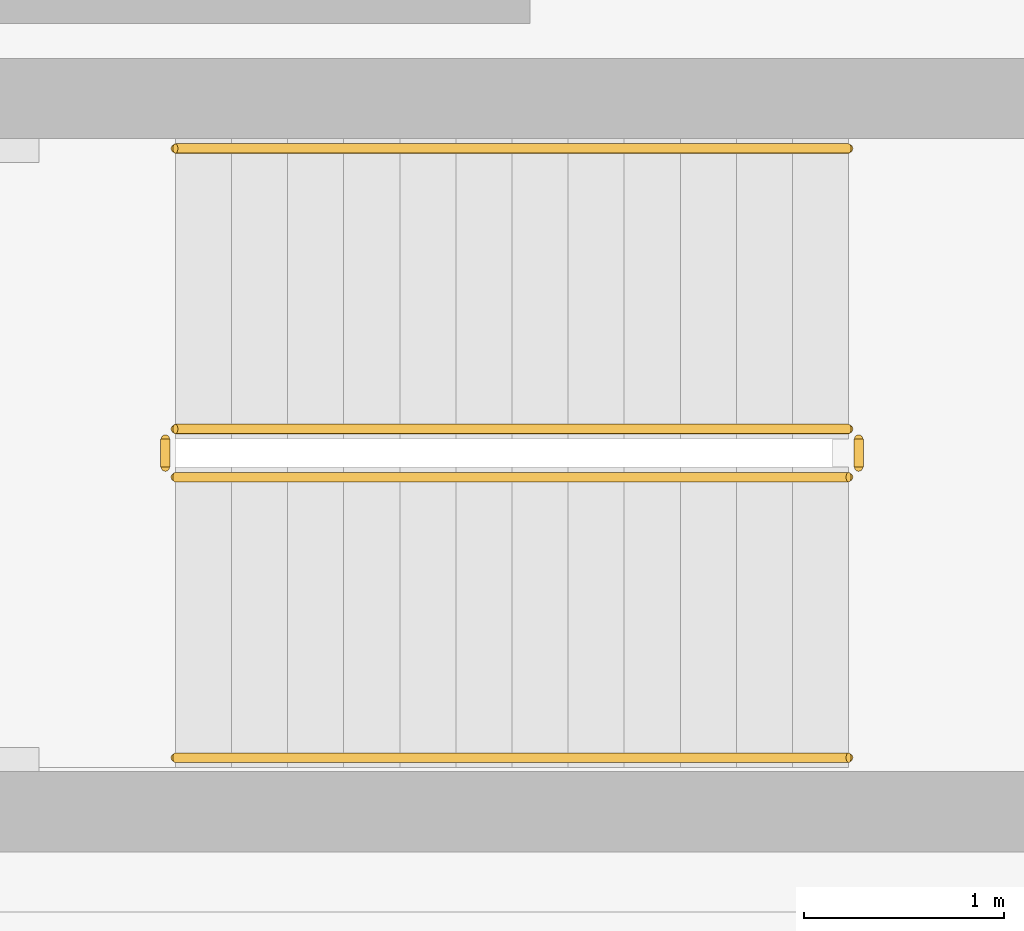
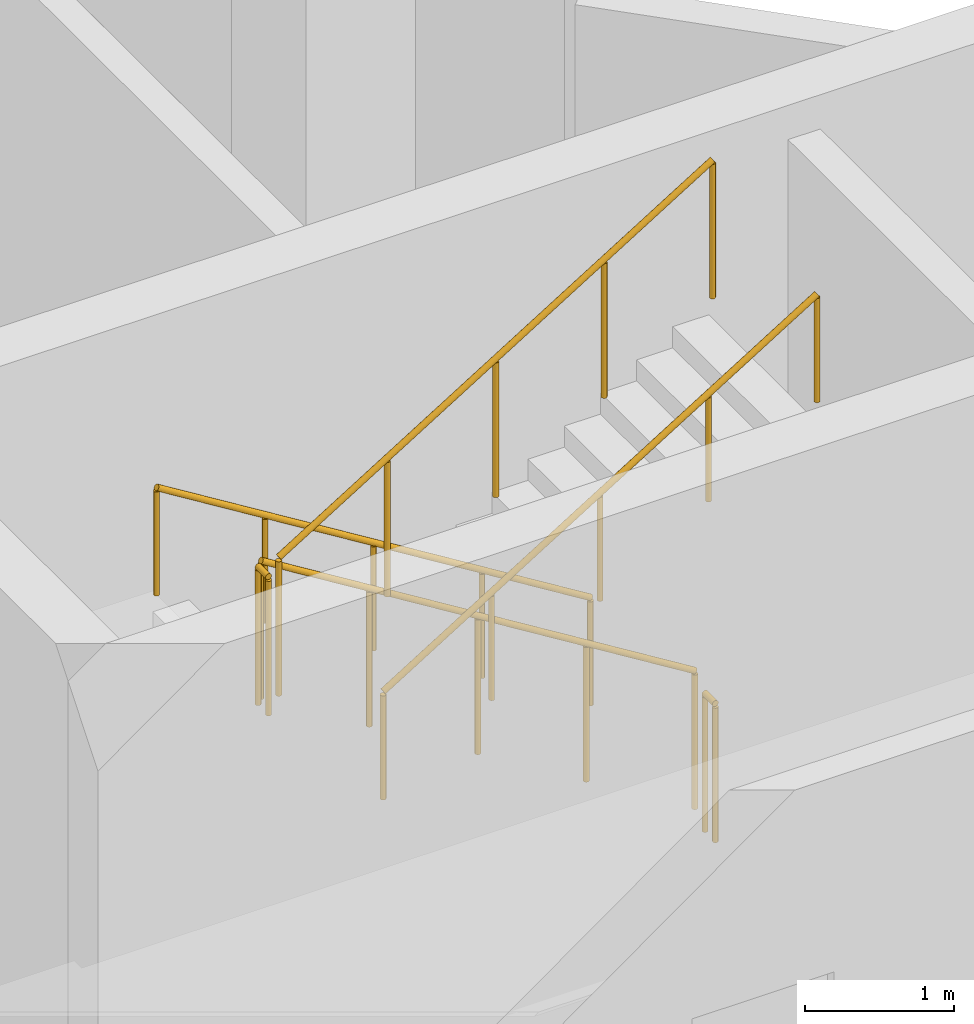
# One storey, part 20 of 24: 6 railings.
"""IFC4 building model written with IfcOpenShell, lengths in metres."""

from ifc_helpers import new_model, si_unit, derived_unit, direction, frame, origin, origin_2d, place, context, subcontext, project, spatial, circle, extrude, material, type_object, element, save


model = new_model("IFC4")

# Units and contexts
model_context = context("Model", 3, precision=1e-05, world=origin(), true_north=direction((0.0, 1.0)))
body_context = subcontext(model_context, "Body", "Model", "MODEL_VIEW")
ifc_project = project(units=[si_unit("LENGTHUNIT", "METRE"), si_unit("AREAUNIT", "SQUARE_METRE"), si_unit("VOLUMEUNIT", "CUBIC_METRE"), si_unit("PLANEANGLEUNIT", "RADIAN"), si_unit("MASSUNIT", "GRAM", prefix="KILO"), derived_unit("THERMALTRANSMITTANCEUNIT", [(si_unit("POWERUNIT", "WATT"), 1), (si_unit("LENGTHUNIT", "METRE"), -2), (si_unit("THERMODYNAMICTEMPERATUREUNIT", "KELVIN"), -1)])], contexts=[model_context])

# Site, building, storey
site_placement = place(None, origin())
site = spatial("IfcSite", under=ifc_project, at=site_placement, CompositionType="ELEMENT")
building_placement = place(site_placement, origin())
building = spatial("IfcBuilding", under=site, at=building_placement, Name="Kivonza Crest Hotel", CompositionType="ELEMENT")
storey_placement = place(building_placement, frame((0.0, 0.0, 119.5)))
storey = spatial("IfcBuildingStorey", under=building, at=storey_placement, Name="L32", CompositionType="ELEMENT", Elevation=119.5)

# Railings
ifc_material_1 = material(Name="Brushed stainless steel handrail", Category="steel")
railing_type_1 = type_object("IfcRailingType", Name="RL-HAND-900", PredefinedType="HANDRAIL", material=ifc_material_1)
railing_1_placement = place(storey_placement, frame((12.239990234375, 16.949951171875, 0.173095703125)))
element("IfcRailing", 1, at=railing_1_placement, inside=storey, type_object=railing_type_1, Name="L32 ST-T1-S stair handrail 1", PredefinedType="HANDRAIL", context=body_context, shape_type="SweptSolid", body=[
    extrude(circle(Radius=0.02392578125, at=origin_2d()), frame((0.0, 0.0, 0.8759765625), z_axis=(-0.850623216509, 0.0, 0.525775754039), x_axis=(0.0, -1.0, 0.0)), (0.0, 0.0, 1.0), 3.9501953125),
    extrude(circle(Radius=0.02099609375, at=origin_2d()), origin(), (0.0, 0.0, 1.0), 0.851806640625),
    extrude(circle(Radius=0.02099609375, at=origin_2d()), frame((-0.840087890625, 0.0, 0.519287109375)), (0.0, 0.0, 1.0), 0.851806640625),
    extrude(circle(Radius=0.02099609375, at=origin_2d()), frame((-1.68017578125, 0.0, 1.03857421875)), (0.0, 0.0, 1.0), 0.851806640625),
    extrude(circle(Radius=0.02099609375, at=origin_2d()), frame((-2.52001953125, 0.0, 1.5576171875)), (0.0, 0.0, 1.0), 0.851806640625),
    extrude(circle(Radius=0.02099609375, at=origin_2d()), frame((-3.360107421875, 0.0, 2.076904296875)), (0.0, 0.0, 1.0), 0.851806640625),
])
railing_2_placement = place(storey_placement, frame((8.8798828125, 13.909912109375, 2.423095703125)))
element("IfcRailing", 2, at=railing_2_placement, inside=storey, type_object=railing_type_1, Name="L32 ST-T1-S stair handrail 2", PredefinedType="HANDRAIL", context=body_context, shape_type="SweptSolid", body=[
    extrude(circle(Radius=0.02392578125, at=origin_2d()), frame((0.0, 0.0, 0.8759765625), z_axis=(0.850623216509, 0.0, 0.525775754039), x_axis=(0.0, 1.0, 0.0)), (0.0, 0.0, 1.0), 3.9501953125),
    extrude(circle(Radius=0.02099609375, at=origin_2d()), origin(), (0.0, 0.0, 1.0), 0.851806640625),
    extrude(circle(Radius=0.02099609375, at=origin_2d()), frame((0.840087890625, 0.0, 0.519287109375)), (0.0, 0.0, 1.0), 0.851806640625),
    extrude(circle(Radius=0.02099609375, at=origin_2d()), frame((1.68017578125, 0.0, 1.03857421875)), (0.0, 0.0, 1.0), 0.851806640625),
    extrude(circle(Radius=0.02099609375, at=origin_2d()), frame((2.52001953125, 0.0, 1.5576171875)), (0.0, 0.0, 1.0), 0.851806640625),
    extrude(circle(Radius=0.02099609375, at=origin_2d()), frame((3.360107421875, 0.0, 2.076904296875)), (0.0, 0.0, 1.0), 0.851806640625),
])
ifc_material_2 = material(Name="Painted steel balustrade", Category="steel")
railing_type_2 = type_object("IfcRailingType", Name="RL-STAIR-1150", PredefinedType="BALUSTRADE", material=ifc_material_2)
railing_3_placement = place(storey_placement, frame((12.239990234375, 15.550048828125, 0.173095703125)))
element("IfcRailing", 3, at=railing_3_placement, inside=storey, type_object=railing_type_2, Name="L32 ST-T1-S stair guard 1", PredefinedType="BALUSTRADE", context=body_context, shape_type="SweptSolid", body=[
    extrude(circle(Radius=0.02392578125, at=origin_2d()), frame((0.0, 0.0, 1.1259765625), z_axis=(-0.850623216509, 0.0, 0.525775754039), x_axis=(0.0, -1.0, 0.0)), (0.0, 0.0, 1.0), 3.9501953125),
    extrude(circle(Radius=0.02099609375, at=origin_2d()), origin(), (0.0, 0.0, 1.0), 1.101806640625),
    extrude(circle(Radius=0.02099609375, at=origin_2d()), frame((-0.840087890625, 0.0, 0.519287109375)), (0.0, 0.0, 1.0), 1.101806640625),
    extrude(circle(Radius=0.02099609375, at=origin_2d()), frame((-1.68017578125, 0.0, 1.03857421875)), (0.0, 0.0, 1.0), 1.101806640625),
    extrude(circle(Radius=0.02099609375, at=origin_2d()), frame((-2.52001953125, 0.0, 1.5576171875)), (0.0, 0.0, 1.0), 1.101806640625),
    extrude(circle(Radius=0.02099609375, at=origin_2d()), frame((-3.360107421875, 0.0, 2.076904296875)), (0.0, 0.0, 1.0), 1.101806640625),
])
railing_4_placement = place(storey_placement, frame((8.830078125, 15.5, 2.25)))
element("IfcRailing", 4, at=railing_4_placement, inside=storey, type_object=railing_type_2, Name="L32 ST-T1-S stair guard 2", PredefinedType="BALUSTRADE", context=body_context, shape_type="SweptSolid", body=[
    extrude(circle(Radius=0.02392578125, at=origin_2d()), frame((0.0, 0.0, 1.1259765625), z_axis=(0.0, -1.0, 0.0), x_axis=(1.0, 0.0, 0.0)), (0.0, 0.0, 1.0), 0.139892578125),
    extrude(circle(Radius=0.02099609375, at=origin_2d()), origin(), (0.0, 0.0, 1.0), 1.101806640625),
    extrude(circle(Radius=0.02099609375, at=origin_2d()), frame((0.0, -0.139892578125, 0.0)), (0.0, 0.0, 1.0), 1.101806640625),
])
railing_5_placement = place(storey_placement, frame((8.8798828125, 15.31005859375, 2.423095703125)))
element("IfcRailing", 5, at=railing_5_placement, inside=storey, type_object=railing_type_2, Name="L32 ST-T1-S stair guard 3", PredefinedType="BALUSTRADE", context=body_context, shape_type="SweptSolid", body=[
    extrude(circle(Radius=0.02392578125, at=origin_2d()), frame((0.0, 0.0, 1.1259765625), z_axis=(0.850623216509, 0.0, 0.525775754039), x_axis=(0.0, 1.0, 0.0)), (0.0, 0.0, 1.0), 3.9501953125),
    extrude(circle(Radius=0.02099609375, at=origin_2d()), origin(), (0.0, 0.0, 1.0), 1.101806640625),
    extrude(circle(Radius=0.02099609375, at=origin_2d()), frame((0.840087890625, 0.0, 0.519287109375)), (0.0, 0.0, 1.0), 1.101806640625),
    extrude(circle(Radius=0.02099609375, at=origin_2d()), frame((1.68017578125, 0.0, 1.03857421875)), (0.0, 0.0, 1.0), 1.101806640625),
    extrude(circle(Radius=0.02099609375, at=origin_2d()), frame((2.52001953125, 0.0, 1.5576171875)), (0.0, 0.0, 1.0), 1.101806640625),
    extrude(circle(Radius=0.02099609375, at=origin_2d()), frame((3.360107421875, 0.0, 2.076904296875)), (0.0, 0.0, 1.0), 1.101806640625),
])
railing_6_placement = place(storey_placement, frame((12.2900390625, 15.5, 0.0)))
element("IfcRailing", 6, at=railing_6_placement, inside=storey, type_object=railing_type_2, Name="L32 ST-T1-S stair guard 4", PredefinedType="BALUSTRADE", context=body_context, shape_type="SweptSolid", body=[
    extrude(circle(Radius=0.02392578125, at=origin_2d()), frame((0.0, 0.0, 1.1259765625), z_axis=(0.0, -1.0, 0.0), x_axis=(1.0, 0.0, 0.0)), (0.0, 0.0, 1.0), 0.139892578125),
    extrude(circle(Radius=0.02099609375, at=origin_2d()), origin(), (0.0, 0.0, 1.0), 1.101806640625),
    extrude(circle(Radius=0.02099609375, at=origin_2d()), frame((0.0, -0.139892578125, 0.0)), (0.0, 0.0, 1.0), 1.101806640625),
])

save(model, "model.ifc")
